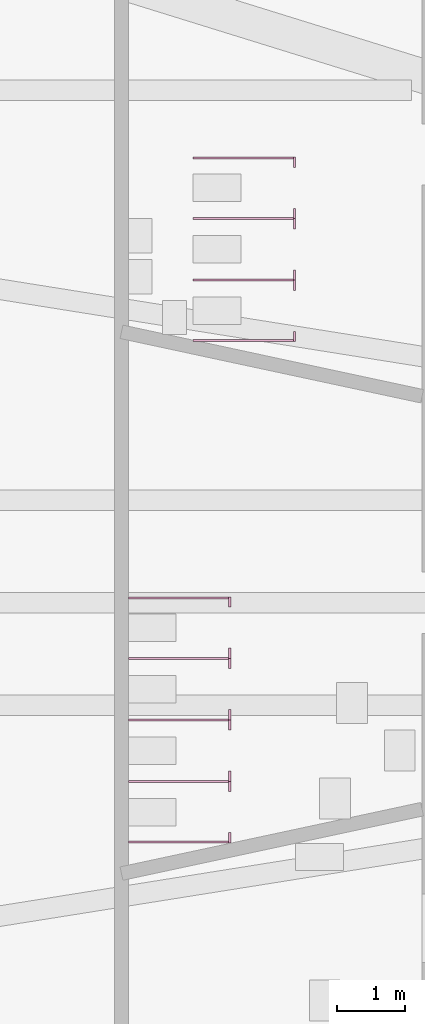
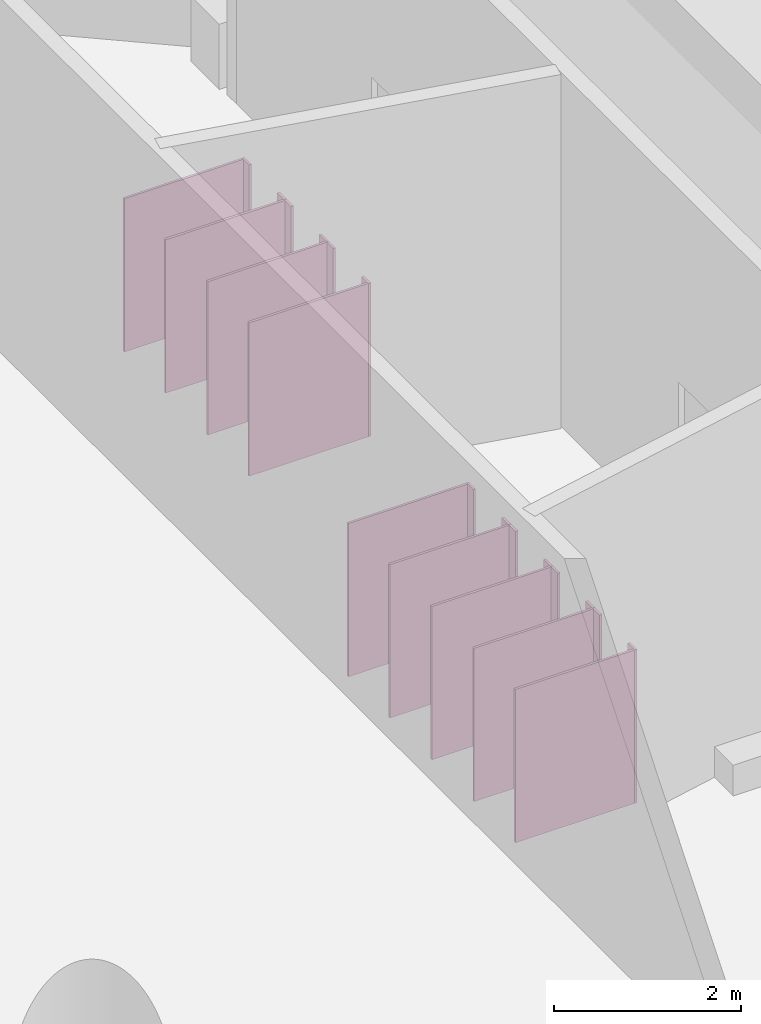
# One storey, part 17 of 17: 23 furniture elements.
"""IFC4 building model written with IfcOpenShell, lengths in metres."""

from ifc_helpers import new_model, si_unit, direction, frame, origin, origin_2d, place, context, subcontext, project, spatial, rectangle, extrude, element, save


model = new_model("IFC4")

# Units and contexts
model_context = context("Model", 3, precision=1e-05, world=origin(), true_north=direction((0.0, 1.0)))
body_context = subcontext(model_context, "Body", "Model", "MODEL_VIEW")
ifc_project = project(units=[si_unit("LENGTHUNIT", "METRE"), si_unit("AREAUNIT", "SQUARE_METRE"), si_unit("VOLUMEUNIT", "CUBIC_METRE"), si_unit("PLANEANGLEUNIT", "RADIAN"), si_unit("MASSUNIT", "GRAM", prefix="KILO")], contexts=[model_context])

# Site, building, storey
site_placement = place(None, origin())
site = spatial("IfcSite", under=ifc_project, at=site_placement, CompositionType="ELEMENT")
building_placement = place(site_placement, origin())
building = spatial("IfcBuilding", under=site, at=building_placement, Name="Hankou Lantern Tower", CompositionType="ELEMENT")
storey_placement = place(building_placement, frame((0.0, 0.0, 24.60009765625)))
storey = spatial("IfcBuildingStorey", under=building, at=storey_placement, Name="L04", CompositionType="ELEMENT", Elevation=24.60009765625)

# Furniture
for number, where, z_axis, x_axis, name in (
    (1, (-16.715087890625, 3.83740234375, 0.0), (0.0, 0.0, 1.0), (0.0, 1.0, 0.0), "Male WC cubicle partition 1"),
    (2, (-16.715087890625, 4.722412109375, 0.0), (0.0, 0.0, 1.0), (0.0, 1.0, 0.0), "Male WC cubicle partition 2"),
    (3, (-16.715087890625, 5.62255859375, 0.0), (0.0, 0.0, 1.0), (0.0, 1.0, 0.0), "Male WC cubicle partition 3"),
    (4, (-16.715087890625, 6.507568359375, 0.0), (0.0, 0.0, 1.0), (0.0, 1.0, 0.0), "Male WC cubicle partition 4"),
):
    element("IfcFurniture", number, at=place(storey_placement, frame(where, z_axis=z_axis, x_axis=x_axis)), inside=storey, Name=name, ObjectType="WC cubicle partition", PredefinedType="USERDEFINED", context=body_context, shape_type="SweptSolid", body=[
        extrude(rectangle(XDim=0.030029296875, YDim=1.469970703125, at=origin_2d()), origin(), (0.0, 0.0, 1.0), 2.0),
    ])
for number, where, z_axis, x_axis, name in (
    (5, (-15.965087890625, 3.8974609375, 0.0), (0.0, 0.0, 1.0), (0.0, 1.0, 0.0), "Male WC cubicle partition 5"),
    (6, (-15.965087890625, 4.6474609375, 0.0), (0.0, 0.0, 1.0), (0.0, 1.0, 0.0), "Male WC cubicle partition 6"),
    (7, (-15.965087890625, 4.797607421875, 0.0), (0.0, 0.0, 1.0), (0.0, 1.0, 0.0), "Male WC cubicle partition 7"),
    (8, (-15.965087890625, 5.547607421875, 0.0), (0.0, 0.0, 1.0), (0.0, 1.0, 0.0), "Male WC cubicle partition 8"),
    (9, (-15.965087890625, 5.697509765625, 0.0), (0.0, 0.0, 1.0), (0.0, 1.0, 0.0), "Male WC cubicle partition 9"),
    (10, (-15.965087890625, 6.447509765625, 0.0), (0.0, 0.0, 1.0), (0.0, 1.0, 0.0), "Male WC cubicle partition 10"),
):
    element("IfcFurniture", number, at=place(storey_placement, frame(where, z_axis=z_axis, x_axis=x_axis)), inside=storey, Name=name, ObjectType="WC cubicle partition", PredefinedType="USERDEFINED", context=body_context, shape_type="SweptSolid", body=[
        extrude(rectangle(XDim=0.14990234375, YDim=0.030029296875, at=origin_2d()), origin(), (0.0, 0.0, 1.0), 2.0),
    ])
for number, where, z_axis, x_axis, name in (
    (11, (-17.6650390625, -3.50048828125, 0.0), (0.0, 0.0, 1.0), (0.0, 1.0, 0.0), "Female WC cubicle partition 1"),
    (12, (-17.6650390625, -2.615478515625, 0.0), (0.0, 0.0, 1.0), (0.0, 1.0, 0.0), "Female WC cubicle partition 2"),
    (13, (-17.6650390625, -1.715576171875, 0.0), (0.0, 0.0, 1.0), (0.0, 1.0, 0.0), "Female WC cubicle partition 3"),
    (14, (-17.6650390625, -0.815673828125, 0.0), (0.0, 0.0, 1.0), (0.0, 1.0, 0.0), "Female WC cubicle partition 4"),
    (15, (-17.6650390625, 0.0693359375, 0.0), (0.0, 0.0, 1.0), (0.0, 1.0, 0.0), "Female WC cubicle partition 5"),
):
    element("IfcFurniture", number, at=place(storey_placement, frame(where, z_axis=z_axis, x_axis=x_axis)), inside=storey, Name=name, ObjectType="WC cubicle partition", PredefinedType="USERDEFINED", context=body_context, shape_type="SweptSolid", body=[
        extrude(rectangle(XDim=0.030029296875, YDim=1.469970703125, at=origin_2d()), origin(), (0.0, 0.0, 1.0), 2.0),
    ])
for number, where, z_axis, x_axis, name in (
    (16, (-16.9150390625, -3.440673828125, 0.0), (0.0, 0.0, 1.0), (0.0, 1.0, 0.0), "Female WC cubicle partition 6"),
    (17, (-16.9150390625, -2.690673828125, 0.0), (0.0, 0.0, 1.0), (0.0, 1.0, 0.0), "Female WC cubicle partition 7"),
    (18, (-16.9150390625, -2.54052734375, 0.0), (0.0, 0.0, 1.0), (0.0, 1.0, 0.0), "Female WC cubicle partition 8"),
    (19, (-16.9150390625, -1.79052734375, 0.0), (0.0, 0.0, 1.0), (0.0, 1.0, 0.0), "Female WC cubicle partition 9"),
    (20, (-16.9150390625, -1.640625, 0.0), (0.0, 0.0, 1.0), (0.0, 1.0, 0.0), "Female WC cubicle partition 10"),
    (21, (-16.9150390625, -0.890625, 0.0), (0.0, 0.0, 1.0), (0.0, 1.0, 0.0), "Female WC cubicle partition 11"),
    (22, (-16.9150390625, -0.740478515625, 0.0), (0.0, 0.0, 1.0), (0.0, 1.0, 0.0), "Female WC cubicle partition 12"),
    (23, (-16.9150390625, 0.009521484375, 0.0), (0.0, 0.0, 1.0), (0.0, 1.0, 0.0), "Female WC cubicle partition 13"),
):
    element("IfcFurniture", number, at=place(storey_placement, frame(where, z_axis=z_axis, x_axis=x_axis)), inside=storey, Name=name, ObjectType="WC cubicle partition", PredefinedType="USERDEFINED", context=body_context, shape_type="SweptSolid", body=[
        extrude(rectangle(XDim=0.14990234375, YDim=0.030029296875, at=origin_2d()), origin(), (0.0, 0.0, 1.0), 2.0),
    ])

save(model, "model.ifc")
